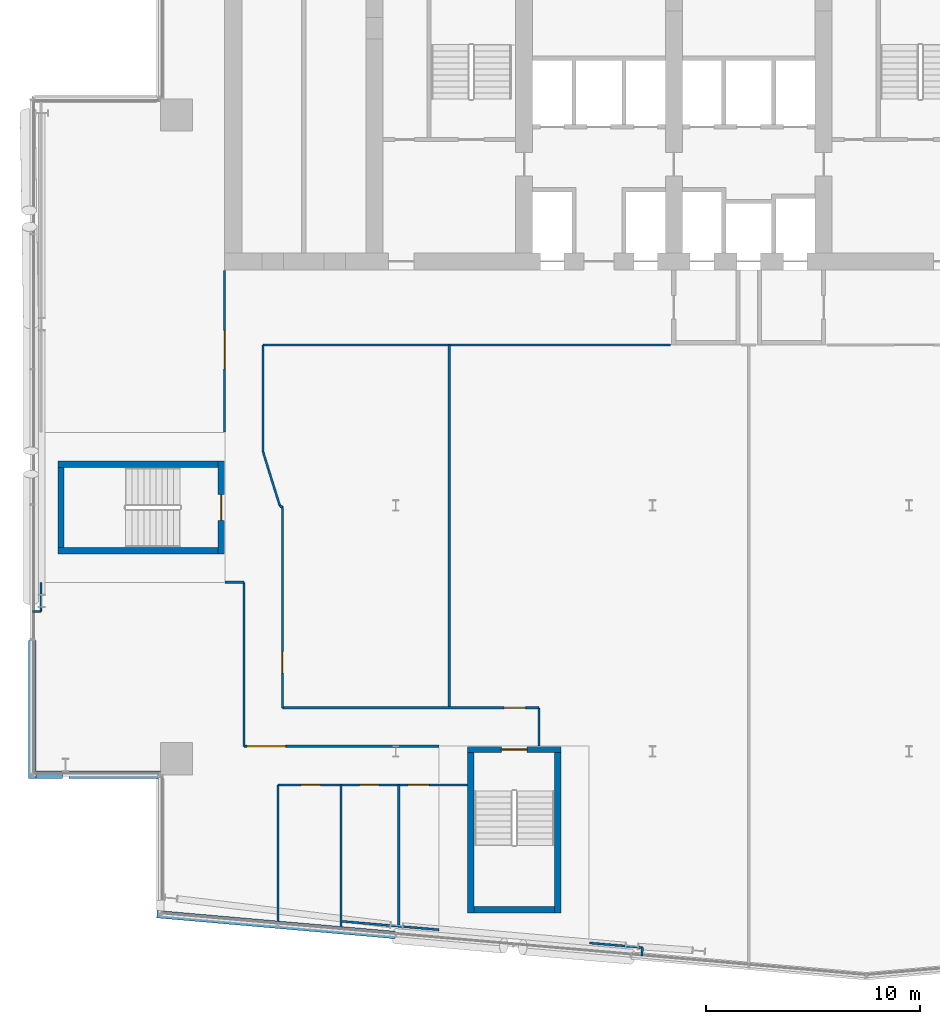
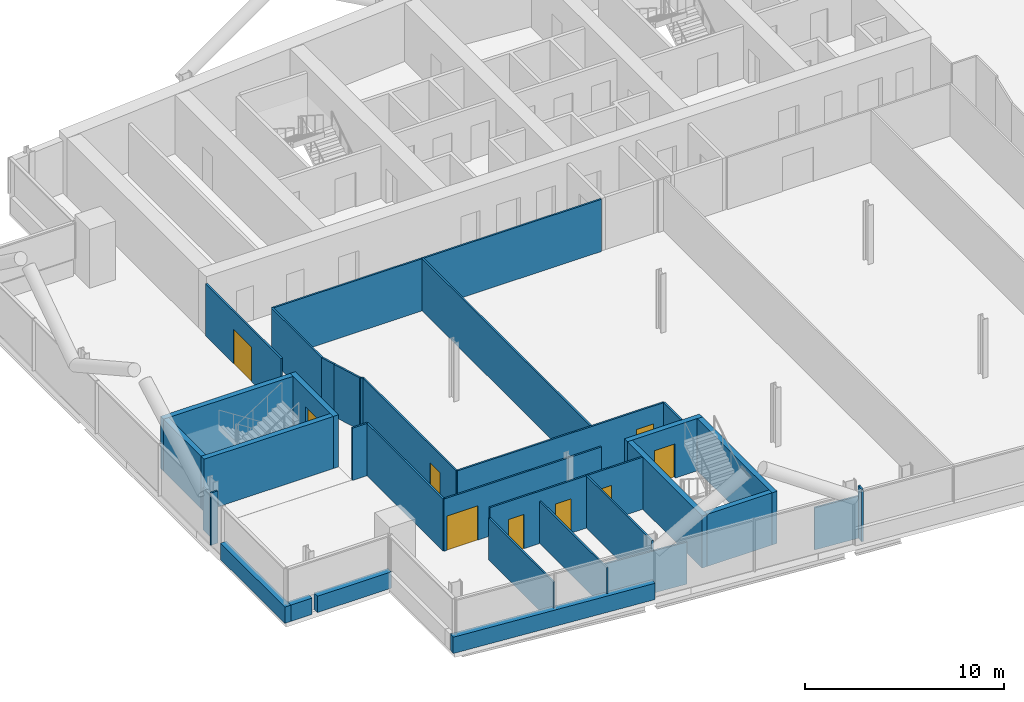
# One storey, part 15 of 26: 34 walls, 9 doors, 9 openings.
"""IFC4 building model written with IfcOpenShell, lengths in metres."""

from ifc_helpers import new_model, si_unit, direction, frame, frame_2d, origin, place, context, subcontext, project, spatial, rectangle, extrude, material, layer, layer_set, type_object, element, fill, save


model = new_model("IFC4")

# Units and contexts
model_context = context("Model", 3, precision=1e-05, world=origin(), true_north=direction((0.0, 1.0)))
body_context = subcontext(model_context, "Body", "Model", "MODEL_VIEW")
ifc_project = project(units=[si_unit("LENGTHUNIT", "METRE"), si_unit("AREAUNIT", "SQUARE_METRE"), si_unit("VOLUMEUNIT", "CUBIC_METRE"), si_unit("PLANEANGLEUNIT", "RADIAN"), si_unit("MASSUNIT", "GRAM", prefix="KILO")], contexts=[model_context])

# Site, building, storey
site_placement = place(None, origin())
site = spatial("IfcSite", under=ifc_project, at=site_placement, CompositionType="ELEMENT")
building_placement = place(site_placement, origin())
building = spatial("IfcBuilding", under=site, at=building_placement, Name="Wharfspan Tower", CompositionType="ELEMENT")
storey_placement = place(building_placement, frame((0.0, 0.0, 184.300049)))
storey = spatial("IfcBuildingStorey", under=building, at=storey_placement, Name="L45", CompositionType="ELEMENT", Elevation=184.300049)

# Wall, opening, door
ifc_material_1 = material(Name="Gypsum board on steel studs", Category="steel")
ifc_layer_1 = layer(ifc_material_1, 0.100098)
ifc_layer_set_1 = layer_set([ifc_layer_1], Name="Gypsum board on steel studs")
wall_type_1 = type_object("IfcWallType", Name="Compartment wall 100 EI 60", PredefinedType="PARTITIONING", material=ifc_layer_set_1)
wall_1_placement = place(storey_placement, frame((16.0, 26.419922, 0.0), z_axis=(0.0, 0.0, 1.0), x_axis=(0.0, 1.0, 0.0)))
wall_1 = element("IfcWall", 1, at=wall_1_placement, inside=storey, type_object=wall_type_1, Name="Partition L45.w004", PredefinedType="PARTITIONING", context=body_context, shape_type="SweptSolid", body=[
    extrude(rectangle(XDim=7.560059, YDim=0.100098, at=frame_2d((3.780029, 0.0))), origin(), (0.0, 0.0, 1.0), 3.199951),
])
opening_1_placement = place(wall_1_placement, frame((2.959961, 0.0, 0.0)))
opening_1 = element("IfcOpeningElement", 2, at=opening_1_placement, cuts=wall_1, Name="Opening C4-10", PredefinedType="OPENING", context=body_context, shape_type="SweptSolid", body=[
    extrude(rectangle(XDim=1.800049, YDim=2.100098, at=frame_2d((0.899902, 1.050049))), frame((0.0, 0.060059, 0.0), z_axis=(0.0, -1.0, 0.0), x_axis=(1.0, 0.0, 0.0)), (0.0, 0.0, 1.0), 0.120117),
])
ifc_material_2 = material(Name="Fire-rated timber door leaf in steel frame", Category="steel")
door_type_1 = type_object("IfcDoorType", Name="Door 1800 FD30S Double", OperationType="DOUBLE_DOOR_SINGLE_SWING", PredefinedType="DOOR", material=ifc_material_2)
door_1_placement = place(opening_1_placement, origin())
door_1 = element("IfcDoor", 3, at=door_1_placement, inside=storey, type_object=door_type_1, Name="Door C4-10", OperationType="DOUBLE_DOOR_SINGLE_SWING", OverallHeight=2.100098, OverallWidth=1.800049, PredefinedType="DOOR", context=body_context, shape_type="SweptSolid", body=[
    extrude(rectangle(XDim=1.800049, YDim=2.100098, at=frame_2d((0.899902, 1.050049))), frame((0.0, 0.024902, 0.0), z_axis=(0.0, -1.0, 0.0), x_axis=(1.0, 0.0, 0.0)), (0.0, 0.0, 1.0), 0.050049),
])
fill(opening_1, door_1)

# Walls
wall_2_placement = place(storey_placement, frame((16.02002, 19.399902, 0.0), z_axis=(0.0, 0.0, 1.0), x_axis=(1.0, 0.0, 0.0)))
element("IfcWall", 4, at=wall_2_placement, inside=storey, type_object=wall_type_1, Name="Partition L45.w005", PredefinedType="PARTITIONING", context=body_context, shape_type="SweptSolid", body=[
    extrude(rectangle(XDim=0.879883, YDim=0.100098, at=frame_2d((0.439941, 0.0))), origin(), (0.0, 0.0, 1.0), 3.199951),
])
wall_3_placement = place(storey_placement, frame((16.899902, 11.735107, 0.0), z_axis=(0.0, 0.0, 1.0), x_axis=(0.0, 1.0, 0.0)))
element("IfcWall", 5, at=wall_3_placement, inside=storey, type_object=wall_type_1, Name="Partition L45.w006", PredefinedType="PARTITIONING", context=body_context, shape_type="SweptSolid", body=[
    extrude(rectangle(XDim=7.664795, YDim=0.100098, at=frame_2d((3.83252, 0.0))), origin(), (0.0, 0.0, 1.0), 3.199951),
])

# Wall, opening, door
wall_4_placement = place(storey_placement, frame((16.899902, 11.735107, 0.0), z_axis=(0.0, 0.0, 1.0), x_axis=(1.0, 0.0, 0.0)))
wall_4 = element("IfcWall", 6, at=wall_4_placement, inside=storey, type_object=wall_type_1, Name="Partition L45.w007", PredefinedType="PARTITIONING", context=body_context, shape_type="SweptSolid", body=[
    extrude(rectangle(XDim=9.119385, YDim=0.100098, at=frame_2d((4.55957, 0.0))), origin(), (0.0, 0.0, 1.0), 3.199951),
])
opening_2_placement = place(wall_4_placement, frame((0.155029, 0.0, 0.0)))
opening_2 = element("IfcOpeningElement", 7, at=opening_2_placement, cuts=wall_4, Name="Opening C4-04", PredefinedType="OPENING", context=body_context, shape_type="SweptSolid", body=[
    extrude(rectangle(XDim=1.800049, YDim=2.100098, at=frame_2d((0.899902, 1.050049))), frame((0.0, 0.060059, 0.0), z_axis=(0.0, -1.0, 0.0), x_axis=(1.0, 0.0, 0.0)), (0.0, 0.0, 1.0), 0.120117),
])
door_2_placement = place(opening_2_placement, origin())
door_2 = element("IfcDoor", 8, at=door_2_placement, inside=storey, type_object=door_type_1, Name="Door C4-04", OperationType="DOUBLE_DOOR_SINGLE_SWING", OverallHeight=2.100098, OverallWidth=1.800049, PredefinedType="DOOR", context=body_context, shape_type="SweptSolid", body=[
    extrude(rectangle(XDim=1.800049, YDim=2.100098, at=frame_2d((0.899902, 1.050049))), frame((0.0, 0.024902, 0.0), z_axis=(0.0, -1.0, 0.0), x_axis=(1.0, 0.0, 0.0)), (0.0, 0.0, 1.0), 0.050049),
])
fill(opening_2, door_2)

# Walls
wall_5_placement = place(storey_placement, frame((17.800049, 25.485107, 0.0), z_axis=(0.0, 0.0, 1.0), x_axis=(0.0, 1.0, 0.0)))
element("IfcWall", 9, at=wall_5_placement, inside=storey, type_object=wall_type_1, Name="Partition L45.w008", PredefinedType="PARTITIONING", context=body_context, shape_type="SweptSolid", body=[
    extrude(rectangle(XDim=5.014893, YDim=0.100098, at=frame_2d((2.507324, 0.0))), origin(), (0.0, 0.0, 1.0), 3.199951),
])
wall_6_placement = place(storey_placement, frame((17.800049, 30.5, 0.0), z_axis=(0.0, 0.0, 1.0), x_axis=(1.0, 0.0, 0.0)))
element("IfcWall", 10, at=wall_6_placement, inside=storey, type_object=wall_type_1, Name="Partition L45.w009", PredefinedType="PARTITIONING", context=body_context, shape_type="SweptSolid", body=[
    extrude(rectangle(XDim=19.050049, YDim=0.100098, at=frame_2d((9.524902, 0.0))), origin(), (0.0, 0.0, 1.0), 3.199951),
])
wall_7_placement = place(storey_placement, frame((18.054932, 24.659912, 0.0), z_axis=(0.0, 0.0, 1.0), x_axis=(-0.295119, 0.955462, 0.0)))
element("IfcWall", 11, at=wall_7_placement, inside=storey, type_object=wall_type_1, Name="Partition L45.w010", PredefinedType="PARTITIONING", context=body_context, shape_type="SweptSolid", body=[
    extrude(rectangle(XDim=0.86377, YDim=0.100098, at=frame_2d((0.431885, 0.0))), origin(), (0.0, 0.0, 1.0), 3.199951),
])
wall_8_placement = place(storey_placement, frame((18.574951, 22.995117, 0.0), z_axis=(0.0, 0.0, 1.0), x_axis=(-0.298155, 0.954516, 0.0)))
element("IfcWall", 12, at=wall_8_placement, inside=storey, type_object=wall_type_1, Name="Partition L45.w013", PredefinedType="PARTITIONING", context=body_context, shape_type="SweptSolid", body=[
    extrude(rectangle(XDim=1.744141, YDim=0.100098, at=frame_2d((0.87207, 0.0))), origin(), (0.0, 0.0, 1.0), 3.199951),
])
wall_9_placement = place(storey_placement, frame((18.699951, 22.899902, 0.0), z_axis=(0.0, 0.0, 1.0), x_axis=(-0.795501, 0.605948, 0.0)))
element("IfcWall", 13, at=wall_9_placement, inside=storey, type_object=wall_type_1, Name="Partition L45.w014", PredefinedType="PARTITIONING", context=body_context, shape_type="SweptSolid", body=[
    extrude(rectangle(XDim=0.157227, YDim=0.100098, at=frame_2d((0.078613, 0.0))), origin(), (0.0, 0.0, 1.0), 3.199951),
])

# Wall, opening, door
wall_10_placement = place(storey_placement, frame((18.699951, 13.534912, 0.0), z_axis=(0.0, 0.0, 1.0), x_axis=(0.0, 1.0, 0.0)))
wall_10 = element("IfcWall", 14, at=wall_10_placement, inside=storey, type_object=wall_type_1, Name="Partition L45.w015", PredefinedType="PARTITIONING", context=body_context, shape_type="SweptSolid", body=[
    extrude(rectangle(XDim=9.36499, YDim=0.100098, at=frame_2d((4.682617, 0.0))), origin(), (0.0, 0.0, 1.0), 3.199951),
])
opening_3_placement = place(wall_10_placement, frame((1.620117, 0.0, 0.0)))
opening_3 = element("IfcOpeningElement", 15, at=opening_3_placement, cuts=wall_10, Name="Opening C4-06", PredefinedType="OPENING", context=body_context, shape_type="SweptSolid", body=[
    extrude(rectangle(XDim=1.0, YDim=2.100098, at=frame_2d((0.5, 1.050049))), frame((0.0, 0.060059, 0.0), z_axis=(0.0, -1.0, 0.0), x_axis=(1.0, 0.0, 0.0)), (0.0, 0.0, 1.0), 0.120117),
])
door_type_2 = type_object("IfcDoorType", Name="Door 1000 FD30S Left", OperationType="SINGLE_SWING_LEFT", PredefinedType="DOOR", material=ifc_material_2)
door_3_placement = place(opening_3_placement, origin())
door_3 = element("IfcDoor", 16, at=door_3_placement, inside=storey, type_object=door_type_2, Name="Door C4-06", OperationType="SINGLE_SWING_LEFT", OverallHeight=2.100098, OverallWidth=1.0, PredefinedType="DOOR", context=body_context, shape_type="SweptSolid", body=[
    extrude(rectangle(XDim=1.0, YDim=2.100098, at=frame_2d((0.5, 1.050049))), frame((0.0, 0.024902, 0.0), z_axis=(0.0, -1.0, 0.0), x_axis=(1.0, 0.0, 0.0)), (0.0, 0.0, 1.0), 0.050049),
])
fill(opening_3, door_3)

wall_11_placement = place(storey_placement, frame((18.699951, 13.534912, 0.0), z_axis=(0.0, 0.0, 1.0), x_axis=(1.0, 0.0, 0.0)))
wall_11 = element("IfcWall", 17, at=wall_11_placement, inside=storey, type_object=wall_type_1, Name="Partition L45.w016", PredefinedType="PARTITIONING", context=body_context, shape_type="SweptSolid", body=[
    extrude(rectangle(XDim=11.98999, YDim=0.100098, at=frame_2d((5.995117, 0.0))), origin(), (0.0, 0.0, 1.0), 3.199951),
])
opening_4_placement = place(wall_11_placement, frame((10.370117, 0.0, 0.0)))
opening_4 = element("IfcOpeningElement", 18, at=opening_4_placement, cuts=wall_11, Name="Opening C4-05", PredefinedType="OPENING", context=body_context, shape_type="SweptSolid", body=[
    extrude(rectangle(XDim=1.0, YDim=2.100098, at=frame_2d((0.5, 1.050049))), frame((0.0, 0.060059, 0.0), z_axis=(0.0, -1.0, 0.0), x_axis=(1.0, 0.0, 0.0)), (0.0, 0.0, 1.0), 0.120117),
])
door_type_3 = type_object("IfcDoorType", Name="Door 1000 FD30S Right", OperationType="SINGLE_SWING_RIGHT", PredefinedType="DOOR", material=ifc_material_2)
door_4_placement = place(opening_4_placement, origin())
door_4 = element("IfcDoor", 19, at=door_4_placement, inside=storey, type_object=door_type_3, Name="Door C4-05", OperationType="SINGLE_SWING_RIGHT", OverallHeight=2.100098, OverallWidth=1.0, PredefinedType="DOOR", context=body_context, shape_type="SweptSolid", body=[
    extrude(rectangle(XDim=1.0, YDim=2.100098, at=frame_2d((0.5, 1.050049))), frame((0.0, 0.024902, 0.0), z_axis=(0.0, -1.0, 0.0), x_axis=(1.0, 0.0, 0.0)), (0.0, 0.0, 1.0), 0.050049),
])
fill(opening_4, door_4)

# Walls
wall_12_placement = place(storey_placement, frame((26.5, 13.534912, 0.0), z_axis=(0.0, 0.0, 1.0), x_axis=(0.0, 1.0, 0.0)))
element("IfcWall", 20, at=wall_12_placement, inside=storey, type_object=wall_type_1, Name="Partition L45.w021", PredefinedType="PARTITIONING", context=body_context, shape_type="SweptSolid", body=[
    extrude(rectangle(XDim=16.965088, YDim=0.100098, at=frame_2d((8.482422, 0.0))), origin(), (0.0, 0.0, 1.0), 3.199951),
])
wall_13_placement = place(storey_placement, frame((30.689941, 11.754395, 0.0), z_axis=(0.0, 0.0, 1.0), x_axis=(0.0, 1.0, 0.0)))
element("IfcWall", 21, at=wall_13_placement, inside=storey, type_object=wall_type_1, Name="Partition L45.w022", PredefinedType="PARTITIONING", context=body_context, shape_type="SweptSolid", body=[
    extrude(rectangle(XDim=1.780518, YDim=0.100098, at=frame_2d((0.890137, 0.0))), origin(), (0.0, 0.0, 1.0), 3.199951),
])
ifc_layer_2 = layer(ifc_material_1, 0.100098)
ifc_layer_set_2 = layer_set([ifc_layer_2], Name="Gypsum board on steel studs")
wall_type_2 = type_object("IfcWallType", Name="Partition 100", PredefinedType="PARTITIONING", material=ifc_layer_set_2)
wall_14_placement = place(storey_placement, frame((7.02002, 18.034912, 0.0), z_axis=(0.0, 0.0, 1.0), x_axis=(1.0, 0.0, 0.0)))
element("IfcWall", 22, at=wall_14_placement, inside=storey, type_object=wall_type_2, Name="Partition L45.w001", PredefinedType="PARTITIONING", context=body_context, shape_type="SweptSolid", body=[
    extrude(rectangle(XDim=0.399902, YDim=0.100098, at=frame_2d((0.199951, 0.0))), origin(), (0.0, 0.0, 1.0), 3.199951),
])
wall_15_placement = place(storey_placement, frame((7.419922, 18.034912, 0.0), z_axis=(0.0, 0.0, 1.0), x_axis=(0.0, 1.0, 0.0)))
element("IfcWall", 23, at=wall_15_placement, inside=storey, type_object=wall_type_2, Name="Partition L45.w002", PredefinedType="PARTITIONING", context=body_context, shape_type="SweptSolid", body=[
    extrude(rectangle(XDim=1.344971, YDim=0.100098, at=frame_2d((0.672363, 0.0))), origin(), (0.0, 0.0, 1.0), 2.579834),
])
wall_16_placement = place(storey_placement, frame((18.5, 3.414062, 0.0), z_axis=(0.0, 0.0, 1.0), x_axis=(0.0, 1.0, 0.0)))
element("IfcWall", 24, at=wall_16_placement, inside=storey, type_object=wall_type_2, Name="Partition L45.w011", PredefinedType="PARTITIONING", context=body_context, shape_type="SweptSolid", body=[
    extrude(rectangle(XDim=6.515869, YDim=0.100098, at=frame_2d((3.257812, 0.0))), origin(), (0.0, 0.0, 1.0), 2.579834),
])

# Wall, openings, doors
wall_17_placement = place(storey_placement, frame((18.5, 9.929932, 0.0), z_axis=(0.0, 0.0, 1.0), x_axis=(1.0, 0.0, 0.0)))
wall_17 = element("IfcWall", 25, at=wall_17_placement, inside=storey, type_object=wall_type_2, Name="Partition L45.w012", PredefinedType="PARTITIONING", context=body_context, shape_type="SweptSolid", body=[
    extrude(rectangle(XDim=8.864258, YDim=0.100098, at=frame_2d((4.432129, 0.0))), origin(), (0.0, 0.0, 1.0), 3.199951),
])
opening_5_placement = place(wall_17_placement, frame((1.073242, 0.0, 0.0)))
opening_5 = element("IfcOpeningElement", 26, at=opening_5_placement, cuts=wall_17, Name="Opening C4-01", PredefinedType="OPENING", context=body_context, shape_type="SweptSolid", body=[
    extrude(rectangle(XDim=0.899902, YDim=2.100098, at=frame_2d((0.449951, 1.050049))), frame((0.0, 0.060059, 0.0), z_axis=(0.0, -1.0, 0.0), x_axis=(1.0, 0.0, 0.0)), (0.0, 0.0, 1.0), 0.120117),
])
opening_6_placement = place(wall_17_placement, frame((3.80835, 0.0, 0.0)))
opening_6 = element("IfcOpeningElement", 27, at=opening_6_placement, cuts=wall_17, Name="Opening C4-02", PredefinedType="OPENING", context=body_context, shape_type="SweptSolid", body=[
    extrude(rectangle(XDim=0.899902, YDim=2.100098, at=frame_2d((0.449951, 1.050049))), frame((0.0, 0.060059, 0.0), z_axis=(0.0, -1.0, 0.0), x_axis=(1.0, 0.0, 0.0)), (0.0, 0.0, 1.0), 0.120117),
])
opening_7_placement = place(wall_17_placement, frame((6.063232, 0.0, 0.0)))
opening_7 = element("IfcOpeningElement", 28, at=opening_7_placement, cuts=wall_17, Name="Opening C4-03", PredefinedType="OPENING", context=body_context, shape_type="SweptSolid", body=[
    extrude(rectangle(XDim=1.0, YDim=2.100098, at=frame_2d((0.5, 1.050049))), frame((0.0, 0.060059, 0.0), z_axis=(0.0, -1.0, 0.0), x_axis=(1.0, 0.0, 0.0)), (0.0, 0.0, 1.0), 0.120117),
])
ifc_material_3 = material(Name="Timber door leaf in steel frame", Category="steel")
door_type_4 = type_object("IfcDoorType", Name="Door 1000 NOT RATED Right", OperationType="SINGLE_SWING_RIGHT", PredefinedType="DOOR", material=ifc_material_3)
door_5_placement = place(opening_7_placement, origin())
door_5 = element("IfcDoor", 29, at=door_5_placement, inside=storey, type_object=door_type_4, Name="Door C4-03", OperationType="SINGLE_SWING_RIGHT", OverallHeight=2.100098, OverallWidth=1.0, PredefinedType="DOOR", context=body_context, shape_type="SweptSolid", body=[
    extrude(rectangle(XDim=1.0, YDim=2.100098, at=frame_2d((0.5, 1.050049))), frame((0.0, 0.024902, 0.0), z_axis=(0.0, -1.0, 0.0), x_axis=(1.0, 0.0, 0.0)), (0.0, 0.0, 1.0), 0.050049),
])
fill(opening_7, door_5)
door_type_5 = type_object("IfcDoorType", Name="Door 900 NOT RATED Left", OperationType="SINGLE_SWING_LEFT", PredefinedType="DOOR", material=ifc_material_3)
door_6_placement = place(opening_5_placement, origin())
door_6 = element("IfcDoor", 30, at=door_6_placement, inside=storey, type_object=door_type_5, Name="Door C4-01", OperationType="SINGLE_SWING_LEFT", OverallHeight=2.100098, OverallWidth=0.899902, PredefinedType="DOOR", context=body_context, shape_type="SweptSolid", body=[
    extrude(rectangle(XDim=0.899902, YDim=2.100098, at=frame_2d((0.449951, 1.050049))), frame((0.0, 0.024902, 0.0), z_axis=(0.0, -1.0, 0.0), x_axis=(1.0, 0.0, 0.0)), (0.0, 0.0, 1.0), 0.050049),
])
fill(opening_5, door_6)
door_7_placement = place(opening_6_placement, origin())
door_7 = element("IfcDoor", 31, at=door_7_placement, inside=storey, type_object=door_type_5, Name="Door C4-02", OperationType="SINGLE_SWING_LEFT", OverallHeight=2.100098, OverallWidth=0.899902, PredefinedType="DOOR", context=body_context, shape_type="SweptSolid", body=[
    extrude(rectangle(XDim=0.899902, YDim=2.100098, at=frame_2d((0.449951, 1.050049))), frame((0.0, 0.024902, 0.0), z_axis=(0.0, -1.0, 0.0), x_axis=(1.0, 0.0, 0.0)), (0.0, 0.0, 1.0), 0.050049),
])
fill(opening_6, door_7)

# Walls
wall_18_placement = place(storey_placement, frame((21.435059, 3.165039, 0.0), z_axis=(0.0, 0.0, 1.0), x_axis=(0.0, 1.0, 0.0)))
element("IfcWall", 32, at=wall_18_placement, inside=storey, type_object=wall_type_2, Name="Partition L45.w017", PredefinedType="PARTITIONING", context=body_context, shape_type="SweptSolid", body=[
    extrude(rectangle(XDim=6.764893, YDim=0.100098, at=frame_2d((3.382324, 0.0))), origin(), (0.0, 0.0, 1.0), 2.579834),
])
wall_19_placement = place(storey_placement, frame((24.139893, 3.320068, 0.0), z_axis=(0.0, 0.0, 1.0), x_axis=(0.0, 1.0, 0.0)))
element("IfcWall", 33, at=wall_19_placement, inside=storey, type_object=wall_type_2, Name="Partition L45.w019", PredefinedType="PARTITIONING", context=body_context, shape_type="SweptSolid", body=[
    extrude(rectangle(XDim=6.609863, YDim=0.100098, at=frame_2d((3.304932, 0.0))), origin(), (0.0, 0.0, 1.0), 3.199951),
])
wall_20_placement = place(storey_placement, frame((26.019287, 3.156738, 0.0), z_axis=(0.0, 0.0, 1.0), x_axis=(-0.996266, 0.086322, 0.0)))
element("IfcWall", 34, at=wall_20_placement, inside=storey, type_object=wall_type_2, Name="Partition L45.w020", PredefinedType="PARTITIONING", context=body_context, shape_type="SweptSolid", body=[
    extrude(rectangle(XDim=4.556396, YDim=0.100098, at=frame_2d((2.27832, 0.0))), origin(), (0.0, 0.0, 1.0), 2.579834),
])
wall_21_placement = place(storey_placement, frame((35.501709, 1.926514, 0.0), z_axis=(0.0, 0.0, 1.0), x_axis=(0.083045, 0.996542, 0.0)))
element("IfcWall", 35, at=wall_21_placement, inside=storey, type_object=wall_type_2, Name="Partition L45.w023", PredefinedType="PARTITIONING", context=body_context, shape_type="SweptSolid", body=[
    extrude(rectangle(XDim=0.399902, YDim=0.100098, at=frame_2d((0.199951, 0.0))), origin(), (0.0, 0.0, 1.0), 3.199951),
])
wall_22_placement = place(storey_placement, frame((35.534912, 2.324951, 0.0), z_axis=(0.0, 0.0, 1.0), x_axis=(-0.996311, 0.085867, 0.0)))
element("IfcWall", 36, at=wall_22_placement, inside=storey, type_object=wall_type_2, Name="Partition L45.w024", PredefinedType="PARTITIONING", context=body_context, shape_type="SweptSolid", body=[
    extrude(rectangle(XDim=2.485107, YDim=0.100098, at=frame_2d((1.242676, 0.0))), origin(), (0.0, 0.0, 1.0), 2.579834),
])
ifc_material_4 = material(Name="Concrete C40/50", Category="concrete")
ifc_layer_3 = layer(ifc_material_4, 0.350098)
ifc_layer_set_3 = layer_set([ifc_layer_3], Name="Concrete C40/50")
wall_type_3 = type_object("IfcWallType", Name="SPANDREL EXPOSED CONCRETE 350", PredefinedType="SOLIDWALL", material=ifc_layer_set_3)
wall_23_placement = place(storey_placement, frame((12.835205, 3.884521, 0.0), z_axis=(0.0, 0.0, 1.0), x_axis=(0.996199, -0.087154, 0.0)))
element("IfcWall", 37, at=wall_23_placement, inside=storey, type_object=wall_type_3, Name="Spandrel upstand L45 S1 1", PredefinedType="SOLIDWALL", context=body_context, shape_type="SweptSolid", body=[
    extrude(rectangle(XDim=11.177002, YDim=0.350098, at=frame_2d((5.588379, 0.0))), origin(), (0.0, 0.0, 1.0), 1.0),
])
wall_24_placement = place(storey_placement, frame((6.995117, 16.689941, 0.0), z_axis=(0.0, 0.0, 1.0), x_axis=(0.0, -1.0, 0.0)))
element("IfcWall", 38, at=wall_24_placement, inside=storey, type_object=wall_type_3, Name="Spandrel upstand L45 W", PredefinedType="SOLIDWALL", context=body_context, shape_type="SweptSolid", body=[
    extrude(rectangle(XDim=6.469971, YDim=0.350098, at=frame_2d((3.234863, 0.0))), origin(), (0.0, 0.0, 1.0), 1.0),
])
wall_25_placement = place(storey_placement, frame((7.169922, 10.39502, 0.0), z_axis=(0.0, 0.0, 1.0), x_axis=(1.0, 0.0, 0.0)))
element("IfcWall", 39, at=wall_25_placement, inside=storey, type_object=wall_type_3, Name="Spandrel upstand L45 NFW-H", PredefinedType="SOLIDWALL", context=body_context, shape_type="SweptSolid", body=[
    extrude(rectangle(XDim=1.238281, YDim=0.350098, at=frame_2d((0.619141, 0.0))), origin(), (0.0, 0.0, 1.0), 1.0),
])
wall_26_placement = place(storey_placement, frame((8.713379, 10.39502, 0.0), z_axis=(0.0, 0.0, 1.0), x_axis=(1.0, 0.0, 0.0)))
element("IfcWall", 40, at=wall_26_placement, inside=storey, type_object=wall_type_3, Name="Spandrel upstand L45 NFW-H 2", PredefinedType="SOLIDWALL", context=body_context, shape_type="SweptSolid", body=[
    extrude(rectangle(XDim=4.286621, YDim=0.350098, at=frame_2d((2.143311, 0.0))), origin(), (0.0, 0.0, 1.0), 1.0),
])

# Wall, opening, door
ifc_layer_4 = layer(ifc_material_4, 0.300049)
ifc_layer_set_4 = layer_set([ifc_layer_4], Name="Concrete C40/50")
wall_type_4 = type_object("IfcWallType", Name="Stair core wall 300", PredefinedType="SHEAR", material=ifc_layer_set_4)
wall_27_placement = place(storey_placement, frame((15.850098, 20.725098, 0.0), z_axis=(0.0, 0.0, 1.0), x_axis=(0.0, 1.0, 0.0)))
wall_27 = element("IfcWall", 41, at=wall_27_placement, inside=storey, type_object=wall_type_4, Name="ST3 stair enclosure wall L45", PredefinedType="SHEAR", context=body_context, shape_type="SweptSolid", body=[
    extrude(rectangle(XDim=4.349854, YDim=0.300049, at=frame_2d((2.174805, 0.0))), origin(), (0.0, 0.0, 1.0), 3.199951),
])
opening_8_placement = place(wall_27_placement, frame((1.574951, 0.0, 0.0)))
opening_8 = element("IfcOpeningElement", 42, at=opening_8_placement, cuts=wall_27, Name="Opening SD3.L45", PredefinedType="OPENING", context=body_context, shape_type="SweptSolid", body=[
    extrude(rectangle(XDim=1.199951, YDim=2.100098, at=frame_2d((0.600098, 1.050049))), frame((0.0, 0.159912, 0.0), z_axis=(0.0, -1.0, 0.0), x_axis=(1.0, 0.0, 0.0)), (0.0, 0.0, 1.0), 0.320068),
])
ifc_material_5 = material(Name="Steel door leaf", Category="steel")
door_type_6 = type_object("IfcDoorType", Name="Stair door 1200x2100", OperationType="SINGLE_SWING_LEFT", PredefinedType="DOOR", material=ifc_material_5)
door_8_placement = place(opening_8_placement, origin())
door_8 = element("IfcDoor", 43, at=door_8_placement, inside=storey, type_object=door_type_6, Name="sd:L45:ST3z3", OperationType="SINGLE_SWING_RIGHT", OverallHeight=2.100098, OverallWidth=1.199951, PredefinedType="DOOR", context=body_context, shape_type="SweptSolid", body=[
    extrude(rectangle(XDim=1.199951, YDim=2.100098, at=frame_2d((0.600098, 1.050049))), frame((0.0, 0.024902, 0.0), z_axis=(0.0, -1.0, 0.0), x_axis=(1.0, 0.0, 0.0)), (0.0, 0.0, 1.0), 0.050049),
])
fill(opening_8, door_8)

wall_28_placement = place(storey_placement, frame((27.364258, 11.584229, 0.0), z_axis=(0.0, 0.0, 1.0), x_axis=(1.0, 0.0, 0.0)))
wall_28 = element("IfcWall", 44, at=wall_28_placement, inside=storey, type_object=wall_type_4, Name="ST4 stair enclosure wall L45", PredefinedType="SHEAR", context=body_context, shape_type="SweptSolid", body=[
    extrude(rectangle(XDim=4.349854, YDim=0.300049, at=frame_2d((2.174805, 0.0))), origin(), (0.0, 0.0, 1.0), 3.199951),
])
opening_9_placement = place(wall_28_placement, frame((1.574951, 0.0, 0.0)))
opening_9 = element("IfcOpeningElement", 45, at=opening_9_placement, cuts=wall_28, Name="Opening SD4.L45", PredefinedType="OPENING", context=body_context, shape_type="SweptSolid", body=[
    extrude(rectangle(XDim=1.199951, YDim=2.100098, at=frame_2d((0.600098, 1.050049))), frame((0.0, 0.159912, 0.0), z_axis=(0.0, -1.0, 0.0), x_axis=(1.0, 0.0, 0.0)), (0.0, 0.0, 1.0), 0.320068),
])
door_9_placement = place(opening_9_placement, origin())
door_9 = element("IfcDoor", 46, at=door_9_placement, inside=storey, type_object=door_type_6, Name="sd:L45:ST4z3", OperationType="SINGLE_SWING_RIGHT", OverallHeight=2.100098, OverallWidth=1.199951, PredefinedType="DOOR", context=body_context, shape_type="SweptSolid", body=[
    extrude(rectangle(XDim=1.199951, YDim=2.100098, at=frame_2d((0.600098, 1.050049))), frame((0.0, 0.024902, 0.0), z_axis=(0.0, -1.0, 0.0), x_axis=(1.0, 0.0, 0.0)), (0.0, 0.0, 1.0), 0.050049),
])
fill(opening_9, door_9)

# Walls
for number, where, z_axis, x_axis, name in (
    (47, (8.199951, 20.875, 0.0), (0.0, 0.0, 1.0), (1.0, 0.0, 0.0), "ST3 stair enclosure wall L45"),
    (48, (8.199951, 24.925049, 0.0), (0.0, 0.0, 1.0), (1.0, 0.0, 0.0), "ST3 stair enclosure wall L45"),
):
    element("IfcWall", number, at=place(storey_placement, frame(where, z_axis=z_axis, x_axis=x_axis)), inside=storey, type_object=wall_type_4, Name=name, PredefinedType="SHEAR", context=body_context, shape_type="SweptSolid", body=[
        extrude(rectangle(XDim=7.5, YDim=0.300049, at=frame_2d((3.75, 0.0))), origin(), (0.0, 0.0, 1.0), 3.199951),
    ])
wall_29_placement = place(storey_placement, frame((8.350098, 21.024902, 0.0), z_axis=(0.0, 0.0, 1.0), x_axis=(0.0, 1.0, 0.0)))
element("IfcWall", 49, at=wall_29_placement, inside=storey, type_object=wall_type_4, Name="ST3 stair enclosure wall L45", PredefinedType="SHEAR", context=body_context, shape_type="SweptSolid", body=[
    extrude(rectangle(XDim=3.75, YDim=0.300049, at=frame_2d((1.875, 0.0))), origin(), (0.0, 0.0, 1.0), 3.199951),
])
for number, where, z_axis, x_axis, name in (
    (50, (27.51416, 3.934326, 0.0), (0.0, 0.0, 1.0), (0.0, 1.0, 0.0), "ST4 stair enclosure wall L45"),
    (51, (31.564209, 3.934326, 0.0), (0.0, 0.0, 1.0), (0.0, 1.0, 0.0), "ST4 stair enclosure wall L45"),
):
    element("IfcWall", number, at=place(storey_placement, frame(where, z_axis=z_axis, x_axis=x_axis)), inside=storey, type_object=wall_type_4, Name=name, PredefinedType="SHEAR", context=body_context, shape_type="SweptSolid", body=[
        extrude(rectangle(XDim=7.5, YDim=0.300049, at=frame_2d((3.75, 0.0))), origin(), (0.0, 0.0, 1.0), 3.199951),
    ])
wall_30_placement = place(storey_placement, frame((27.664307, 4.084229, 0.0), z_axis=(0.0, 0.0, 1.0), x_axis=(1.0, 0.0, 0.0)))
element("IfcWall", 52, at=wall_30_placement, inside=storey, type_object=wall_type_4, Name="ST4 stair enclosure wall L45", PredefinedType="SHEAR", context=body_context, shape_type="SweptSolid", body=[
    extrude(rectangle(XDim=3.75, YDim=0.300049, at=frame_2d((1.875, 0.0))), origin(), (0.0, 0.0, 1.0), 3.199951),
])

save(model, "model.ifc")
